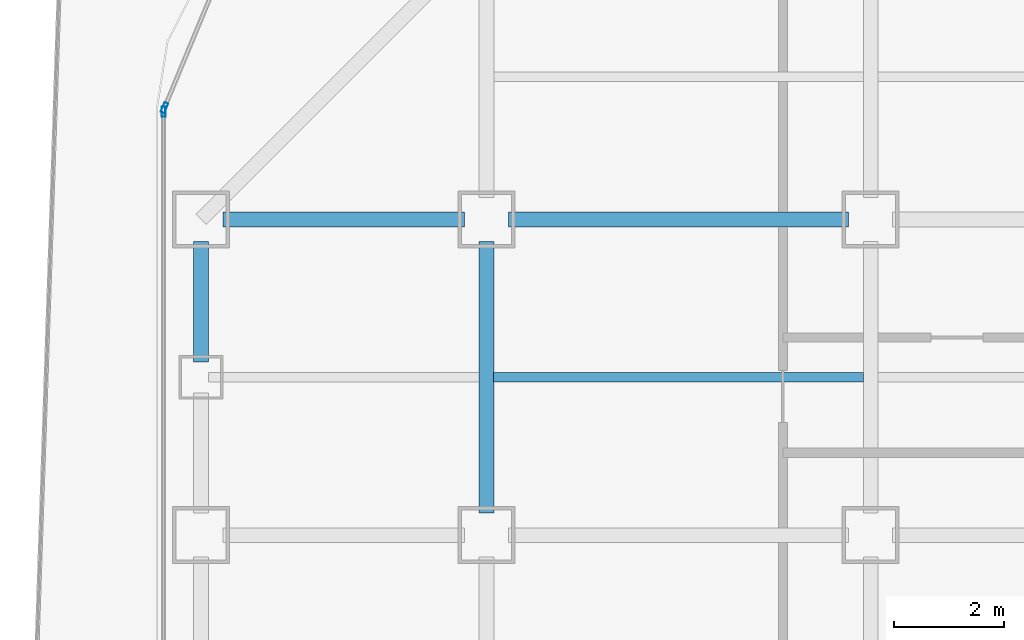
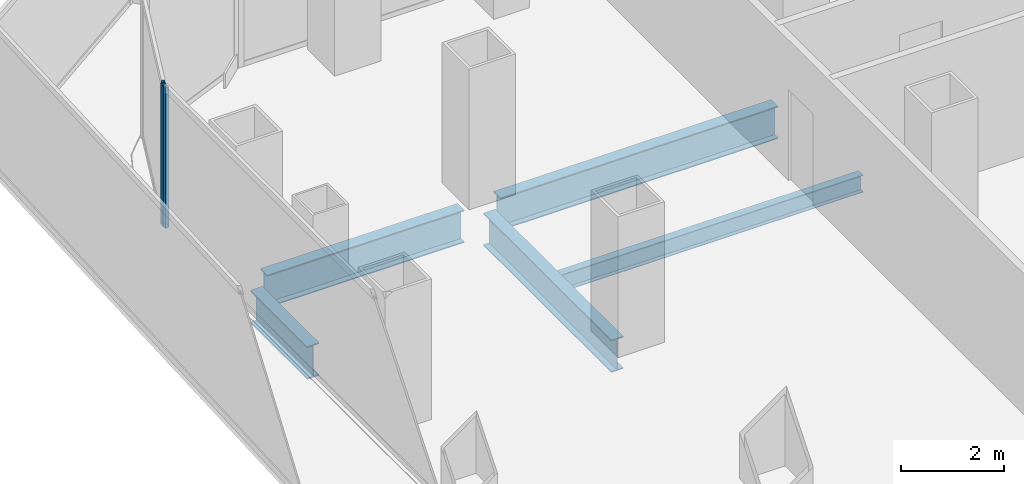
# One storey, part 10 of 21: 5 beams, 2 members, 2 elements without a shape of their own.
"""IFC4 building model written with IfcOpenShell, lengths in metres."""

from ifc_helpers import new_model, si_unit, direction, frame, origin, origin_2d, place, context, subcontext, project, spatial, hollow_rectangle, i_section, extrude, source, transform, mapped, material, layer, layer_set, material_profile, profile_set, type_object, element, aggregate, save


model = new_model("IFC4")

# Units and contexts
model_context = context("Model", 3, precision=1e-05, world=origin(), true_north=direction((0.0, 1.0)))
body_context = subcontext(model_context, "Body", "Model", "MODEL_VIEW")
ifc_project = project(units=[si_unit("LENGTHUNIT", "METRE"), si_unit("AREAUNIT", "SQUARE_METRE"), si_unit("VOLUMEUNIT", "CUBIC_METRE"), si_unit("PLANEANGLEUNIT", "RADIAN"), si_unit("MASSUNIT", "GRAM", prefix="KILO")], contexts=[model_context])

# Site, building, storey
site_placement = place(None, origin())
site = spatial("IfcSite", under=ifc_project, at=site_placement, CompositionType="ELEMENT")
building_placement = place(site_placement, origin())
building = spatial("IfcBuilding", under=site, at=building_placement, Name="Kolveth Station Tower", CompositionType="ELEMENT")
storey_placement = place(building_placement, frame((0.0, 0.0, 29.699951171875)))
storey = spatial("IfcBuildingStorey", under=building, at=storey_placement, Name="L07", CompositionType="ELEMENT", Elevation=29.699951171875)

# Beams
ifc_material_1 = material(Name="Steel S355", Category="steel")
ifc_material_profile_1 = material_profile(ifc_material_1, i_section(OverallWidth=0.26904296875, OverallDepth=0.77490234375, WebThickness=0.01708984375, FlangeThickness=0.0283203125, at=origin_2d()), Name="W760x220")
ifc_profile_set_1 = profile_set([ifc_material_profile_1], Name="Steel S355")
beam_type_1 = type_object("IfcBeamType", Name="Beam_SP1", PredefinedType="SPANDREL", material=ifc_profile_set_1)
shared_shape_1 = source(origin(), body_context, "Body", "SweptSolid", [
    extrude(i_section(OverallWidth=0.26904296875, OverallDepth=0.77490234375, WebThickness=0.01708984375, FlangeThickness=0.0283203125, at=origin_2d()), origin(), (0.0, 0.0, 1.0), 2.2001953125),
])
beam_1_placement = place(storey_placement, frame((0.800048828125, 31.89990234375, -0.66748046875), z_axis=(0.0, 1.0, 0.0), x_axis=(-1.0, 0.0, 0.0)))
element("IfcBeam", 1, at=beam_1_placement, inside=storey, type_object=beam_type_1, Name="L07 Perimeter Spandrel BM-L07-PW-10", PredefinedType="SPANDREL", context=body_context, shape_type="MappedRepresentation", body=[
    mapped(shared_shape_1, transform((0.0, 0.0, 0.0), x_axis=(1.0, 0.0, 0.0), y_axis=(0.0, 1.0, 0.0), z_axis=(0.0, 0.0, 1.0), scale=1.0)),
])
ifc_material_profile_2 = material_profile(ifc_material_1, i_section(OverallWidth=0.26708984375, OverallDepth=0.76611328125, WebThickness=0.014892578125, FlangeThickness=0.023681640625, at=origin_2d()), Name="W760x185")
ifc_profile_set_2 = profile_set([ifc_material_profile_2], Name="Steel S355")
beam_type_2 = type_object("IfcBeamType", Name="Beam_B3", PredefinedType="BEAM", material=ifc_profile_set_2)
shared_shape_2 = source(origin(), body_context, "Body", "SweptSolid", [
    extrude(i_section(OverallWidth=0.26708984375, OverallDepth=0.76611328125, WebThickness=0.014892578125, FlangeThickness=0.023681640625, at=origin_2d()), origin(), (0.0, 0.0, 1.0), 4.400146484375),
])
beam_2_placement = place(storey_placement, frame((1.199951171875, 34.5, -0.662841796875), z_axis=(1.0, 0.0, 0.0), x_axis=(0.0, 1.0, 0.0)))
element("IfcBeam", 2, at=beam_2_placement, inside=storey, type_object=beam_type_2, Name="L07 Primary Girder BM-L07-GY345-1", PredefinedType="BEAM", context=body_context, shape_type="MappedRepresentation", body=[
    mapped(shared_shape_2, transform((0.0, 0.0, 0.0), x_axis=(1.0, 0.0, 0.0), y_axis=(0.0, 1.0, 0.0), z_axis=(0.0, 0.0, 1.0), scale=1.0)),
])
shared_shape_3 = source(origin(), body_context, "Body", "SweptSolid", [
    extrude(i_section(OverallWidth=0.26708984375, OverallDepth=0.76611328125, WebThickness=0.014892578125, FlangeThickness=0.023681640625, at=origin_2d()), origin(), (0.0, 0.0, 1.0), 6.2001953125),
])
beam_3_placement = place(storey_placement, frame((6.39990234375, 34.5, -0.662841796875), z_axis=(1.0, 0.0, 0.0), x_axis=(0.0, 1.0, 0.0)))
element("IfcBeam", 3, at=beam_3_placement, inside=storey, type_object=beam_type_2, Name="L07 Primary Girder BM-L07-GY345-2", PredefinedType="BEAM", context=body_context, shape_type="MappedRepresentation", body=[
    mapped(shared_shape_3, transform((0.0, 0.0, 0.0), x_axis=(1.0, 0.0, 0.0), y_axis=(0.0, 1.0, 0.0), z_axis=(0.0, 0.0, 1.0), scale=1.0)),
])
shared_shape_4 = source(origin(), body_context, "Body", "SweptSolid", [
    extrude(i_section(OverallWidth=0.26708984375, OverallDepth=0.76611328125, WebThickness=0.014892578125, FlangeThickness=0.023681640625, at=origin_2d()), origin(), (0.0, 0.0, 1.0), 4.9501953125),
])
beam_4_placement = place(storey_placement, frame((6.0, 29.14990234375, -0.662841796875), z_axis=(0.0, 1.0, 0.0), x_axis=(-1.0, 0.0, 0.0)))
element("IfcBeam", 4, at=beam_4_placement, inside=storey, type_object=beam_type_2, Name="L07 Primary Girder BM-L07-GX60-6", PredefinedType="BEAM", context=body_context, shape_type="MappedRepresentation", body=[
    mapped(shared_shape_4, transform((0.0, 0.0, 0.0), x_axis=(1.0, 0.0, 0.0), y_axis=(0.0, 1.0, 0.0), z_axis=(0.0, 0.0, 1.0), scale=1.0)),
])
ifc_material_profile_3 = material_profile(ifc_material_1, i_section(OverallWidth=0.177978515625, OverallDepth=0.406982421875, WebThickness=0.0078125, FlangeThickness=0.0126953125, at=origin_2d()), Name="W410x60")
ifc_profile_set_3 = profile_set([ifc_material_profile_3], Name="Steel S355")
beam_type_3 = type_object("IfcBeamType", Name="Beam_J1", PredefinedType="JOIST", material=ifc_profile_set_3)
shared_shape_5 = source(origin(), body_context, "Body", "SweptSolid", [
    extrude(i_section(OverallWidth=0.177978515625, OverallDepth=0.406982421875, WebThickness=0.0078125, FlangeThickness=0.0126953125, at=origin_2d()), origin(), (0.0, 0.0, 1.0), 6.73681640625),
])
beam_5_placement = place(storey_placement, frame((6.131591796875, 31.625, -0.4833984375), z_axis=(1.0, 0.0, 0.0), x_axis=(0.0, 1.0, 0.0)))
element("IfcBeam", 5, at=beam_5_placement, inside=storey, type_object=beam_type_3, Name="L07 Secondary Joist JST-L07-2-6", PredefinedType="JOIST", context=body_context, shape_type="MappedRepresentation", body=[
    mapped(shared_shape_5, transform((0.0, 0.0, 0.0), x_axis=(1.0, 0.0, 0.0), y_axis=(0.0, 1.0, 0.0), z_axis=(0.0, 0.0, 1.0), scale=1.0)),
])

# Curtain wall, member
ifc_material_2 = material(Name="Aluminium 6063-T6 and low-E dark glass", Category="aluminium")
ifc_layer = layer(ifc_material_2, 0.179931640625)
ifc_layer_set = layer_set([ifc_layer], Name="Aluminium 6063-T6 and low-E dark glass")
curtain_wall_type = type_object("IfcCurtainWallType", Name="CurtainWall_CW-Z1", PredefinedType="NOTDEFINED", material=ifc_layer_set)
curtain_wall_1_placement = place(storey_placement, origin())
curtain_wall_1 = element("IfcCurtainWall", 6, at=curtain_wall_1_placement, inside=storey, type_object=curtain_wall_type, Name="L07 Inner Thermal Curtain Wall 8", PredefinedType="NOTDEFINED")
ifc_material_3 = material(Name="Black anodized aluminium 6063-T6", Category="aluminium")
ifc_material_profile_4 = material_profile(ifc_material_3, hollow_rectangle(XDim=0.074951171875, YDim=0.18994140625, WallThickness=0.0048828125, at=origin_2d()), Name="ALU-75x190x5")
ifc_profile_set_4 = profile_set([ifc_material_profile_4], Name="Black anodized aluminium 6063-T6")
member_type = type_object("IfcMemberType", Name="Mullion_ML1", PredefinedType="MULLION", material=ifc_profile_set_4)
shared_shape_6 = source(origin(), body_context, "Body", "SweptSolid", [
    extrude(hollow_rectangle(XDim=0.074951171875, YDim=0.18994140625, WallThickness=0.0048828125, at=origin_2d()), origin(), (0.0, 0.0, 1.0), 3.320068359375),
])
member_1_placement = place(storey_placement, frame((0.13427734375, 36.53466796875, 0.0), z_axis=(0.0, 0.0, 1.0), x_axis=(0.923883857728, -0.382672990201, 0.0)))
member_1 = element("IfcMember", 7, at=member_1_placement, type_object=member_type, Name="CW-Z1 mullion 2", PredefinedType="MULLION", context=body_context, shape_type="MappedRepresentation", body=[
    mapped(shared_shape_6, transform((0.0, 0.0, 0.0), x_axis=(1.0, 0.0, 0.0), y_axis=(0.0, 1.0, 0.0), z_axis=(0.0, 0.0, 1.0), scale=1.0)),
])
aggregate(curtain_wall_1, [member_1])

curtain_wall_2_placement = place(storey_placement, origin())
curtain_wall_2 = element("IfcCurtainWall", 8, at=curtain_wall_2_placement, inside=storey, type_object=curtain_wall_type, Name="L07 Inner Thermal Curtain Wall 9", PredefinedType="NOTDEFINED")
member_2_placement = place(storey_placement, frame((0.1201171875, 36.46240234375, 0.0), z_axis=(0.0, 0.0, 1.0), x_axis=(1.0, 0.0, 0.0)))
member_2 = element("IfcMember", 9, at=member_2_placement, type_object=member_type, Name="CW-Z1 mullion 1", PredefinedType="MULLION", context=body_context, shape_type="MappedRepresentation", body=[
    mapped(shared_shape_6, transform((0.0, 0.0, 0.0), x_axis=(1.0, 0.0, 0.0), y_axis=(0.0, 1.0, 0.0), z_axis=(0.0, 0.0, 1.0), scale=1.0)),
])
aggregate(curtain_wall_2, [member_2])

save(model, "model.ifc")
